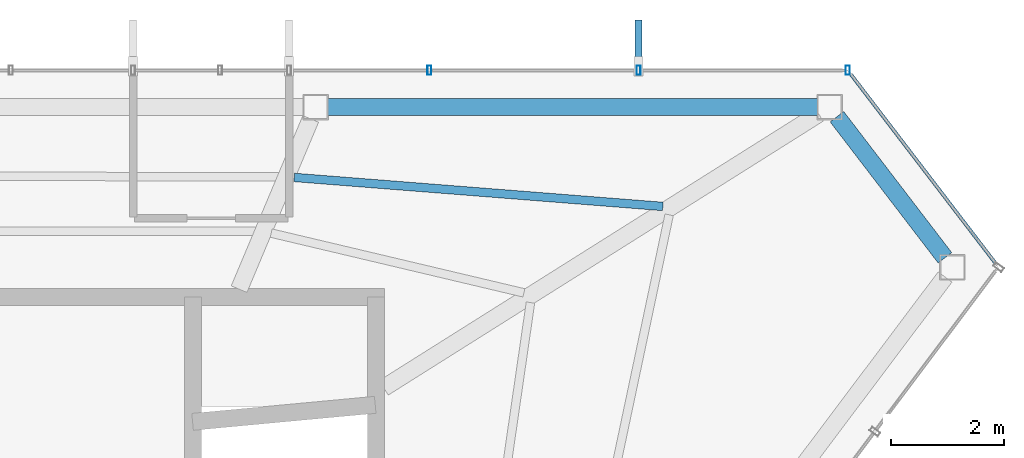
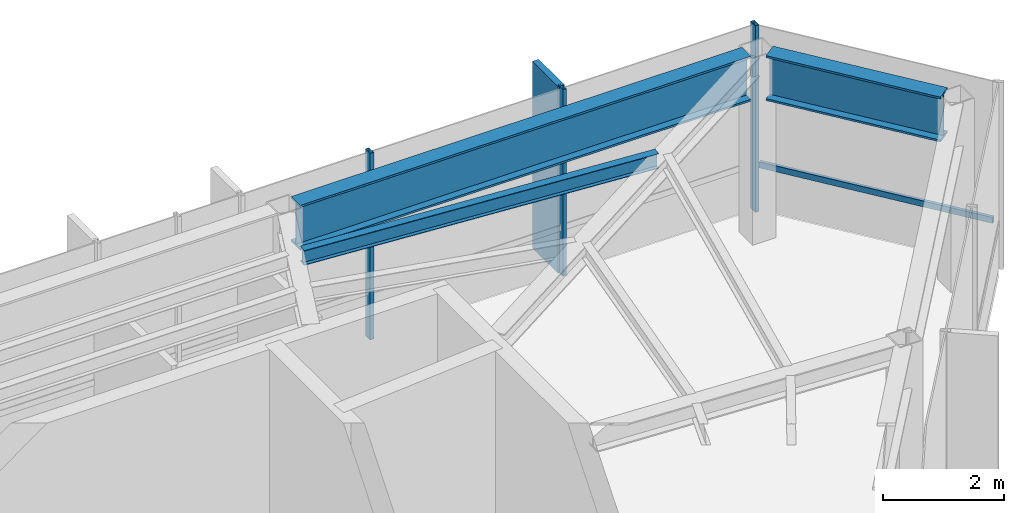
# One storey, part 17 of 21: 5 members, 3 beams, 2 elements without a shape of their own.
"""IFC4 building model written with IfcOpenShell, lengths in metres."""

from ifc_helpers import new_model, si_unit, direction, frame, origin, origin_2d, place, context, subcontext, project, spatial, rectangle, hollow_rectangle, i_section, extrude, material, layer, layer_set, material_profile, profile_set, type_object, element, aggregate, save


model = new_model("IFC4")

# Units and contexts
model_context = context("Model", 3, precision=1e-05, world=origin(), true_north=direction((0.0, 1.0)))
body_context = subcontext(model_context, "Body", "Model", "MODEL_VIEW")
ifc_project = project(units=[si_unit("LENGTHUNIT", "METRE"), si_unit("AREAUNIT", "SQUARE_METRE"), si_unit("VOLUMEUNIT", "CUBIC_METRE"), si_unit("PLANEANGLEUNIT", "RADIAN"), si_unit("MASSUNIT", "GRAM", prefix="KILO")], contexts=[model_context])

# Site, building, storey
site_placement = place(None, origin())
site = spatial("IfcSite", under=ifc_project, at=site_placement, CompositionType="ELEMENT")
building_placement = place(site_placement, origin())
building = spatial("IfcBuilding", under=site, at=building_placement, Name="Zarrinselat Tower", CompositionType="ELEMENT")
storey_placement = place(building_placement, frame((0.0, 0.0, 299.199951171875)))
storey = spatial("IfcBuildingStorey", under=building, at=storey_placement, Name="L77", CompositionType="ELEMENT", Elevation=299.199951171875)

# Beams
ifc_material_1 = material(Name="Steel S460M", Category="steel")
ifc_material_profile_1 = material_profile(ifc_material_1, i_section(OverallWidth=0.302001953125, OverallDepth=0.909912109375, WebThickness=0.02099609375, FlangeThickness=0.0400390625, at=origin_2d()), Name="HEM 900")
ifc_profile_set_1 = profile_set([ifc_material_profile_1], Name="Steel S460M")
beam_type_1 = type_object("IfcBeamType", Name="BM-HEM900", PredefinedType="BEAM", material=ifc_profile_set_1)
beam_1_placement = place(storey_placement, frame((47.363525390625, 46.75, 3.324951171875), z_axis=(1.0, 0.0, 0.0), x_axis=(0.0, 1.0, 0.0)))
element("IfcBeam", 1, at=beam_1_placement, inside=storey, type_object=beam_type_1, Name="L77 Perimeter Spandrel Girder SP01", PredefinedType="BEAM", context=body_context, shape_type="SweptSolid", body=[
    extrude(i_section(OverallWidth=0.302001953125, OverallDepth=0.909912109375, WebThickness=0.02099609375, FlangeThickness=0.0400390625, at=origin_2d()), origin(), (0.0, 0.0, 1.0), 8.633544921875),
])
beam_2_placement = place(storey_placement, frame((56.339599609375, 46.580810546875, 3.324951171875), z_axis=(0.607886709647, -0.794023770573, 0.0), x_axis=(0.794023770573, 0.607886709647, 0.0)))
element("IfcBeam", 2, at=beam_2_placement, inside=storey, type_object=beam_type_1, Name="L77 Perimeter Spandrel Girder SP15", PredefinedType="BEAM", context=body_context, shape_type="SweptSolid", body=[
    extrude(i_section(OverallWidth=0.302001953125, OverallDepth=0.909912109375, WebThickness=0.02099609375, FlangeThickness=0.0400390625, at=origin_2d()), origin(), (0.0, 0.0, 1.0), 3.133544921875),
])
ifc_material_2 = material(Name="Steel S355J2", Category="steel")
ifc_material_profile_2 = material_profile(ifc_material_2, i_section(OverallWidth=0.14990234375, OverallDepth=0.300048828125, WebThickness=0.007080078125, FlangeThickness=0.0107421875, at=origin_2d()), Name="IPE 300")
ifc_profile_set_2 = profile_set([ifc_material_profile_2], Name="Steel S355J2")
beam_type_2 = type_object("IfcBeamType", Name="BM-IPE300", PredefinedType="JOIST", material=ifc_profile_set_2)
beam_3_placement = place(storey_placement, frame((46.77294921875, 45.509521484375, 3.630126953125), z_axis=(0.996916757552, -0.078466416466, 0.0), x_axis=(0.078466416466, 0.996916757552, 0.0)))
element("IfcBeam", 3, at=beam_3_placement, inside=storey, type_object=beam_type_2, Name="L77 Composite Floor Joist 6-1", PredefinedType="JOIST", context=body_context, shape_type="SweptSolid", body=[
    extrude(i_section(OverallWidth=0.14990234375, OverallDepth=0.300048828125, WebThickness=0.007080078125, FlangeThickness=0.0107421875, at=origin_2d()), origin(), (0.0, 0.0, 1.0), 6.518310546875),
])

# Curtain wall, members
ifc_material_3 = material(Name="Extruded Aluminium Alloy EN AW-6063 T6", Category="aluminium")
ifc_layer = layer(ifc_material_3, 0.169921875)
ifc_layer_set = layer_set([ifc_layer], Name="Extruded Aluminium Alloy EN AW-6063 T6")
curtain_wall_type = type_object("IfcCurtainWallType", Name="CWS-RES", PredefinedType="NOTDEFINED", material=ifc_layer_set)
curtain_wall_1_placement = place(storey_placement, origin())
curtain_wall_1 = element("IfcCurtainWall", 4, at=curtain_wall_1_placement, inside=storey, type_object=curtain_wall_type, Name="L77 Unitised Curtain Wall CW-L77-E01", PredefinedType="NOTDEFINED")
ifc_material_4 = material(Name="Extruded Aluminium Alloy EN AW-6063 T6", Category="aluminium")
ifc_material_profile_3 = material_profile(ifc_material_4, hollow_rectangle(XDim=0.070068359375, YDim=0.159912109375, WallThickness=0.00390625, at=origin_2d()), Name="RHS 160x70x4")
ifc_profile_set_3 = profile_set([ifc_material_profile_3], Name="Extruded Aluminium Alloy EN AW-6063 T6")
member_type_1 = type_object("IfcMemberType", Name="MEM-CW-MUL2", PredefinedType="MULLION", material=ifc_profile_set_3)
member_1_placement = place(storey_placement, frame((56.531005859375, 47.39990234375, 0.0), z_axis=(0.0, 0.0, 1.0), x_axis=(-1.0, 0.0, 0.0)))
member_1 = element("IfcMember", 5, at=member_1_placement, type_object=member_type_1, Name="CW-L77-E01 Mullion 0", PredefinedType="MULLION", context=body_context, shape_type="SweptSolid", body=[
    extrude(hollow_rectangle(XDim=0.070068359375, YDim=0.159912109375, WallThickness=0.00390625, at=origin_2d()), origin(), (0.0, 0.0, 1.0), 3.780029296875),
])
member_2_placement = place(storey_placement, frame((52.8427734375, 47.39990234375, 0.0), z_axis=(0.0, 0.0, 1.0), x_axis=(-1.0, 0.0, 0.0)))
member_2 = element("IfcMember", 6, at=member_2_placement, type_object=member_type_1, Name="CW-L77-E01 Mullion 1", PredefinedType="MULLION", context=body_context, shape_type="SweptSolid", body=[
    extrude(hollow_rectangle(XDim=0.070068359375, YDim=0.159912109375, WallThickness=0.00390625, at=origin_2d()), origin(), (0.0, 0.0, 1.0), 3.780029296875),
])
member_3_placement = place(storey_placement, frame((49.154296875, 47.39990234375, 0.0), z_axis=(0.0, 0.0, 1.0), x_axis=(-1.0, 0.0, 0.0)))
member_3 = element("IfcMember", 7, at=member_3_placement, type_object=member_type_1, Name="CW-L77-E01 Mullion 2", PredefinedType="MULLION", context=body_context, shape_type="SweptSolid", body=[
    extrude(hollow_rectangle(XDim=0.070068359375, YDim=0.159912109375, WallThickness=0.00390625, at=origin_2d()), origin(), (0.0, 0.0, 1.0), 3.780029296875),
])

# Curtain wall, member
curtain_wall_2_placement = place(storey_placement, origin())
curtain_wall_2 = element("IfcCurtainWall", 8, at=curtain_wall_2_placement, inside=storey, type_object=curtain_wall_type, Name="L77 Unitised Curtain Wall CW-L77-E06", PredefinedType="NOTDEFINED")
ifc_material_5 = material(Name="Extruded Aluminium Alloy EN AW-6063 T6", Category="aluminium")
ifc_material_profile_4 = material_profile(ifc_material_5, hollow_rectangle(XDim=0.06005859375, YDim=0.1201171875, WallThickness=0.00390625, at=origin_2d()), Name="RHS 120x60x4")
ifc_profile_set_4 = profile_set([ifc_material_profile_4], Name="Extruded Aluminium Alloy EN AW-6063 T6")
member_type_2 = type_object("IfcMemberType", Name="MEM-CW-TRN2", PredefinedType="USERDEFINED", material=ifc_profile_set_4)
member_4_placement = place(storey_placement, frame((59.135009765625, 43.998779296875, 0.949951171875), z_axis=(-0.607897312734, 0.794015652976, 0.0), x_axis=(-0.794015652976, -0.607897312734, 0.0)))
member_4 = element("IfcMember", 9, at=member_4_placement, type_object=member_type_2, Name="CW-L77-E06 Transom 1", ObjectType="TRANSOM", PredefinedType="USERDEFINED", context=body_context, shape_type="SweptSolid", body=[
    extrude(hollow_rectangle(XDim=0.06005859375, YDim=0.1201171875, WallThickness=0.00390625, at=origin_2d()), origin(), (0.0, 0.0, 1.0), 4.193603515625),
])
aggregate(curtain_wall_2, [member_4])

# Member
ifc_material_6 = material(Name="Honed Cream Travertine Stone", Category="masonry")
ifc_material_profile_5 = material_profile(ifc_material_6, rectangle(XDim=0.1201171875, YDim=0.85009765625, at=origin_2d()), Name="FIN 850x120")
ifc_profile_set_5 = profile_set([ifc_material_profile_5], Name="Honed Cream Travertine Stone")
member_type_3 = type_object("IfcMemberType", Name="MEM-STONE-FIN", PredefinedType="USERDEFINED", material=ifc_profile_set_5)
member_5_placement = place(storey_placement, frame((52.8427734375, 47.860107421875, 0.0), z_axis=(0.0, 0.0, 1.0), x_axis=(1.0, 0.0, 0.0)))
member_5 = element("IfcMember", 10, at=member_5_placement, type_object=member_type_3, Name="L77 Stone Shading Fin CW-L77-E01-01", ObjectType="FIN", PredefinedType="USERDEFINED", context=body_context, shape_type="SweptSolid", body=[
    extrude(rectangle(XDim=0.1201171875, YDim=0.85009765625, at=origin_2d()), origin(), (0.0, 0.0, 1.0), 3.780029296875),
])

aggregate(curtain_wall_1, [member_1, member_2, member_5, member_3])

save(model, "model.ifc")
